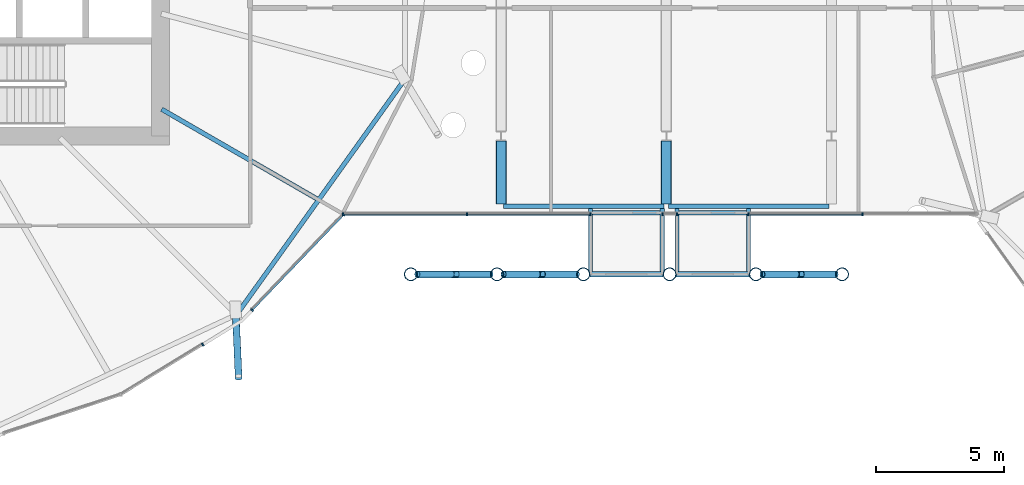
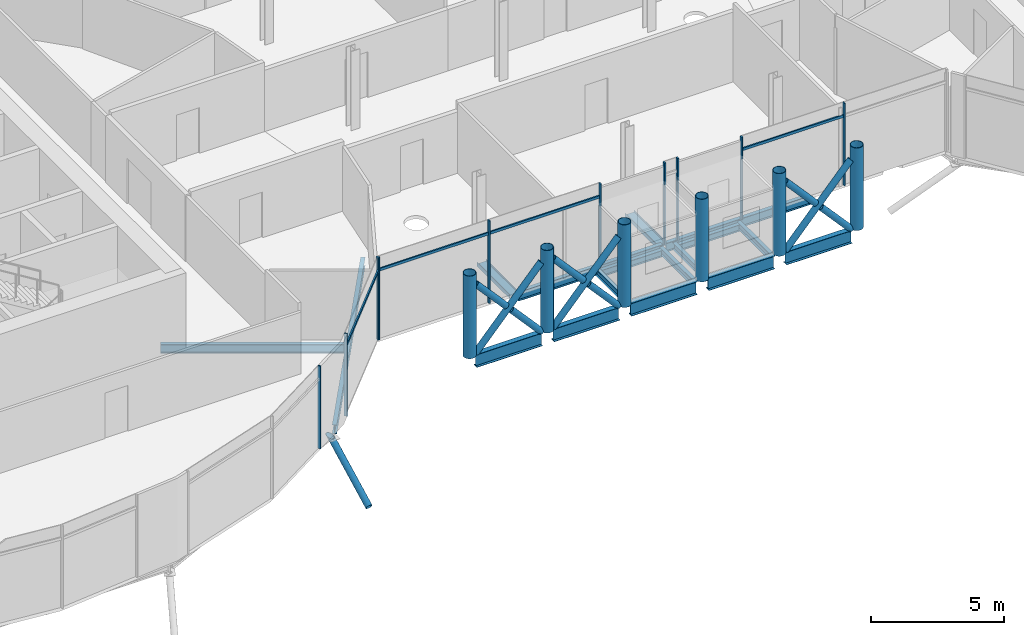
# One storey, part 6 of 39: 30 members, 17 beams, 2 elements without a shape of their own.
"""IFC4 building model written with IfcOpenShell, lengths in metres."""

import ifcopenshell
import ifcopenshell.guid

model = None  # the IFC model being written
_history = None  # IfcOwnerHistory: only IFC2X3 demands one
_inside = {}  # id of a spatial element -> (the spatial element, [elements in it])
_under = {}  # id of a project, library or spatial element -> (it, [spatial elements below it])
_declared = {}  # id of a project -> (the project, [libraries it declares])
_typed = {}  # id of a type object -> (the type object, [elements of that type])
_made_of = {}  # id of a material, layer set ... -> (it, [elements and type objects made of it])


def new_model(schema):
    """Start an empty IFC model of exactly this schema.

    Asked for "IFC4X3", IfcOpenShell would pick the latest addendum, in which some entities
    have other attributes; the version numbers below select the first issue.
    IFC2X3 requires an IfcOwnerHistory on every rooted entity: one is made here for all.
    """
    global model, _history
    if schema == "IFC4X3":
        model = ifcopenshell.file(schema_version=(4, 3, 0, 0))
    else:
        model = ifcopenshell.file(schema=schema)
    _inside.clear()
    _under.clear()
    _declared.clear()
    _typed.clear()
    _made_of.clear()
    _history = None
    if model.schema == "IFC2X3":
        org = make("IfcOrganization", Name="unknown")
        user = make(
            "IfcPersonAndOrganization",
            ThePerson=make("IfcPerson", FamilyName="unknown"),
            TheOrganization=org,
        )
        app = make(
            "IfcApplication",
            ApplicationDeveloper=org,
            Version="unknown",
            ApplicationFullName="unknown",
            ApplicationIdentifier="unknown",
        )
        _history = make(
            "IfcOwnerHistory",
            OwningUser=user,
            OwningApplication=app,
            ChangeAction="ADDED",
            CreationDate=0,
        )
    return model


def make(cls, **values):
    """One entity of the class cls with the attributes given. An attribute that is None is left unset."""
    return model.create_entity(
        cls, **{name: value for name, value in values.items() if value is not None}
    )


def rooted(cls, **values):
    """An entity with a GlobalId (a new one), such as an element, a storey or a relation."""
    return make(cls, GlobalId=ifcopenshell.guid.new(), OwnerHistory=_history, **values)


def si_unit(unit_type, name, prefix=None):
    """IfcSIUnit, for example si_unit("LENGTHUNIT", "METRE", prefix="MILLI")."""
    return make("IfcSIUnit", UnitType=unit_type, Prefix=prefix, Name=name)


def assignment(units):
    """IfcUnitAssignment: the units of a project."""
    return None if units is None else make("IfcUnitAssignment", Units=units)


def point(xyz):
    """IfcCartesianPoint."""
    return None if xyz is None else make("IfcCartesianPoint", Coordinates=xyz)


def direction(xyz):
    """IfcDirection."""
    return None if xyz is None else make("IfcDirection", DirectionRatios=xyz)


def frame(location, z_axis=None, x_axis=None):
    """IfcAxis2Placement3D, a coordinate frame: its origin and axes. An axis left out is left unset."""
    return make(
        "IfcAxis2Placement3D",
        Location=point(location),
        Axis=direction(z_axis),
        RefDirection=direction(x_axis),
    )


def frame_2d(location, x_axis=None):
    """IfcAxis2Placement2D, a coordinate frame in the plane: its origin and x axis."""
    return make(
        "IfcAxis2Placement2D", Location=point(location), RefDirection=direction(x_axis)
    )


def origin():
    """The frame at (0, 0, 0) with its axes left unset."""
    return frame((0.0, 0.0, 0.0))


def origin_2d():
    """The frame at (0, 0) in the plane with its x axis left unset."""
    return frame_2d((0.0, 0.0))


def place(relative_to, where):
    """IfcLocalPlacement: puts the frame where relative to a parent placement (None: the world)."""
    return make(
        "IfcLocalPlacement", PlacementRelTo=relative_to, RelativePlacement=where
    )


def context(
    kind, dimensions, precision=None, world=None, true_north=None, identifier=None
):
    """IfcGeometricRepresentationContext, for example the 3D "Model" context."""
    return make(
        "IfcGeometricRepresentationContext",
        ContextIdentifier=identifier,
        ContextType=kind,
        CoordinateSpaceDimension=dimensions,
        Precision=precision,
        WorldCoordinateSystem=world,
        TrueNorth=true_north,
    )


def subcontext(parent, identifier, kind, view, scale=None):
    """IfcGeometricRepresentationSubContext, for example "Body" below "Model"."""
    return make(
        "IfcGeometricRepresentationSubContext",
        ContextIdentifier=identifier,
        ContextType=kind,
        ParentContext=parent,
        TargetScale=scale,
        TargetView=view,
    )


def project(units=None, contexts=None):
    """IfcProject with its units and contexts."""
    return rooted(
        "IfcProject",
        Name="project",
        RepresentationContexts=contexts,
        UnitsInContext=assignment(units),
    )


def spatial(cls, under=None, at=None, **own):
    """A site, building, storey or space (cls), placed at a placement, below another one or the project."""
    s = rooted(cls, ObjectPlacement=at, **own)
    if under is not None:
        _under.setdefault(under.id(), (under, []))[1].append(s)
    return s


def profile(cls, at=None, kind="AREA", **sizes):
    """A parametric profile (cls). Its sizes go by their IFC names, for example OverallWidth=200.0."""
    return make(cls, ProfileType=kind, Position=at, **sizes)


def rectangle(**sizes):
    """IfcRectangleProfileDef."""
    return profile("IfcRectangleProfileDef", **sizes)


def hollow_circle(**sizes):
    """IfcCircleHollowProfileDef."""
    return profile("IfcCircleHollowProfileDef", **sizes)


def i_section(**sizes):
    """IfcIShapeProfileDef."""
    return profile("IfcIShapeProfileDef", **sizes)


def extrude(swept, where, along, depth):
    """IfcExtrudedAreaSolid: the profile swept, set in the frame where, extruded along a direction by depth."""
    return make(
        "IfcExtrudedAreaSolid",
        SweptArea=swept,
        Position=where,
        ExtrudedDirection=direction(along),
        Depth=depth,
    )


def clip(a, b, op="DIFFERENCE"):
    """IfcBooleanClippingResult: the solid a cut by the half space b."""
    return make(
        "IfcBooleanClippingResult", Operator=op, FirstOperand=a, SecondOperand=b
    )


def halfspace(plane, agree):
    """IfcHalfSpaceSolid: all space on one side of the plane z = 0 of the frame plane."""
    return make(
        "IfcHalfSpaceSolid",
        BaseSurface=make("IfcPlane", Position=plane),
        AgreementFlag=agree,
    )


def shape(context_of_items, identifier, shape_type, items):
    """IfcShapeRepresentation: the items that make up one representation, for example the "Body"."""
    return make(
        "IfcShapeRepresentation",
        ContextOfItems=context_of_items,
        RepresentationIdentifier=identifier,
        RepresentationType=shape_type,
        Items=items,
    )


def material(Name=None, Category=None):
    """IfcMaterial."""
    return make("IfcMaterial", Name=Name, Category=Category)


def material_profile(
    of_material, cross_section, Name=None, Category=None, Priority=None
):
    """IfcMaterialProfile: a cross section and its material."""
    return make(
        "IfcMaterialProfile",
        Name=Name,
        Material=of_material,
        Profile=cross_section,
        Priority=Priority,
        Category=Category,
    )


def profile_set(profiles, Name=None, composite=None):
    """IfcMaterialProfileSet."""
    return make(
        "IfcMaterialProfileSet",
        Name=Name,
        MaterialProfiles=profiles,
        CompositeProfile=composite,
    )


def made_of(thing, what):
    """Note that an element or type object is made of a material, layer set ...; save() writes the relation."""
    if what is not None:
        _made_of.setdefault(what.id(), (what, []))[1].append(thing)
    return thing


def type_object(cls, material=None, **own):
    """A type object (cls), such as IfcWallType, which elements share."""
    return made_of(rooted(cls, **own), material)


def element(
    cls,
    number,
    at=None,
    inside=None,
    cuts=None,
    type_object=None,
    material=None,
    context=None,
    identifier="Body",
    shape_type=None,
    held_by="IfcProductDefinitionShape",
    body=None,
    shapes=None,
    **own,
):
    """One element of the class cls, such as IfcWall. Its Tag is "e" and its number.

    at: its placement. inside: the storey or other place that contains it. cuts: it is an
    opening in that element (IfcRelVoidsElement). A single representation is given by context,
    identifier, shape_type and body (its items); several are given by shapes. held_by: the class
    of the entity that holds the representations. save() writes the other relations.
    """
    e = rooted(cls, Tag="e%d" % number, ObjectPlacement=at, **own)
    if body is not None:
        shapes = [shape(context, identifier, shape_type, body)]
    if shapes is not None:
        e.Representation = make(held_by, Representations=shapes)
    if inside is not None:
        _inside.setdefault(inside.id(), (inside, []))[1].append(e)
    if cuts is not None:
        rooted(
            "IfcRelVoidsElement", RelatingBuildingElement=cuts, RelatedOpeningElement=e
        )
    if type_object is not None:
        _typed.setdefault(type_object.id(), (type_object, []))[1].append(e)
    return made_of(e, material)


def aggregate(whole, parts):
    """IfcRelAggregates: a whole, such as a stair, and the parts it consists of."""
    return rooted("IfcRelAggregates", RelatingObject=whole, RelatedObjects=parts)


def save(model, path):
    """Write the relations noted so far, then the file.

    IfcRelAggregates (storeys below a building ...), IfcRelContainedInSpatialStructure (elements
    in a storey), IfcRelDefinesByType, IfcRelAssociatesMaterial and IfcRelDeclares: one each for
    every whole, place, type object, material and project.
    """
    for whole, parts in _under.values():
        aggregate(whole, parts)
    for where, things in _inside.values():
        rooted(
            "IfcRelContainedInSpatialStructure",
            RelatedElements=things,
            RelatingStructure=where,
        )
    for kind, things in _typed.values():
        rooted("IfcRelDefinesByType", RelatedObjects=things, RelatingType=kind)
    for what, things in _made_of.values():
        rooted("IfcRelAssociatesMaterial", RelatedObjects=things, RelatingMaterial=what)
    for by, libraries in _declared.values():
        rooted("IfcRelDeclares", RelatingContext=by, RelatedDefinitions=libraries)
    model.write(path)


model = new_model("IFC4")

# Units and contexts
model_context = context("Model", 3, precision=1e-05, world=origin(), true_north=direction((0.0, 1.0)))
body_context = subcontext(model_context, "Body", "Model", "MODEL_VIEW")
ifc_project = project(units=[si_unit("LENGTHUNIT", "METRE"), si_unit("AREAUNIT", "SQUARE_METRE"), si_unit("VOLUMEUNIT", "CUBIC_METRE"), si_unit("PLANEANGLEUNIT", "RADIAN"), si_unit("MASSUNIT", "GRAM", prefix="KILO")], contexts=[model_context])

# Site, building, storey
site_placement = place(None, origin())
site = spatial("IfcSite", under=ifc_project, at=site_placement, CompositionType="ELEMENT")
building_placement = place(site_placement, origin())
building = spatial("IfcBuilding", under=site, at=building_placement, Name="Rimbun Link Towers", CompositionType="ELEMENT")
storey_placement = place(building_placement, frame((0.0, 0.0, 143.0)))
storey = spatial("IfcBuildingStorey", under=building, at=storey_placement, Name="L34", CompositionType="ELEMENT", Elevation=143.0)

# Curtain wall, members
ifc_material_1 = material(Name="Aluminium 6063-T6 and low-iron glass", Category="aluminium")
curtain_wall_type = type_object("IfcCurtainWallType", Name="CW4 link block wall", PredefinedType="NOTDEFINED", material=ifc_material_1)
curtain_wall_1_placement = place(storey_placement, origin())
curtain_wall_1 = element("IfcCurtainWall", 1, at=curtain_wall_1_placement, inside=storey, type_object=curtain_wall_type, Name="CW4 L34 T1", PredefinedType="NOTDEFINED")
ifc_material_2 = material(Name="Aluminium 6063-T6", Category="aluminium")
ifc_material_profile_1 = material_profile(ifc_material_2, rectangle(XDim=0.1201171875, YDim=0.06005859375, at=origin_2d()), Name="MULLION 60X120")
ifc_profile_set_1 = profile_set([ifc_material_profile_1], Name="Aluminium 6063-T6")
member_type_1 = type_object("IfcMemberType", Name="CW4 mullion 60X120", PredefinedType="MULLION", material=ifc_profile_set_1)
member_1_placement = place(storey_placement, frame((-18.098388671875, -16.147216796875, 0.0), z_axis=(0.0, 0.0, 1.0), x_axis=(0.523225378089, -0.852194346217, 0.0)))
member_1 = element("IfcMember", 2, at=member_1_placement, type_object=member_type_1, Name="CW4 mullion", PredefinedType="MULLION", context=body_context, shape_type="SweptSolid", body=[
    extrude(rectangle(XDim=0.1201171875, YDim=0.06005859375, at=origin_2d()), origin(), (0.0, 0.0, 1.0), 3.800048828125),
])
member_2_placement = place(storey_placement, frame((-12.599853515625, -11.07275390625, 0.0), z_axis=(0.0, 0.0, 1.0), x_axis=(0.721858090698, -0.692041109252, 0.0)))
member_2 = element("IfcMember", 3, at=member_2_placement, type_object=member_type_1, Name="CW4 mullion", PredefinedType="MULLION", context=body_context, shape_type="SweptSolid", body=[
    extrude(rectangle(XDim=0.1201171875, YDim=0.06005859375, at=origin_2d()), origin(), (0.0, 0.0, 1.0), 3.800048828125),
])
member_3_placement = place(storey_placement, frame((-16.171875, -14.798583984375, 0.0), z_axis=(0.0, 0.0, 1.0), x_axis=(0.721858090698, -0.692041109252, 0.0)))
member_3 = element("IfcMember", 4, at=member_3_placement, type_object=member_type_1, Name="CW4 mullion", PredefinedType="MULLION", context=body_context, shape_type="SweptSolid", body=[
    extrude(rectangle(XDim=0.1201171875, YDim=0.06005859375, at=origin_2d()), origin(), (0.0, 0.0, 1.0), 3.800048828125),
])

curtain_wall_2_placement = place(storey_placement, origin())
curtain_wall_2 = element("IfcCurtainWall", 5, at=curtain_wall_2_placement, inside=storey, type_object=curtain_wall_type, Name="CW4 L34 LB", PredefinedType="NOTDEFINED")
member_4_placement = place(storey_placement, frame((7.667236328125, -11.06005859375, 0.0), z_axis=(0.0, 0.0, 1.0), x_axis=(0.0, -1.0, 0.0)))
member_4 = element("IfcMember", 6, at=member_4_placement, type_object=member_type_1, Name="CW4 mullion", PredefinedType="MULLION", context=body_context, shape_type="SweptSolid", body=[
    extrude(rectangle(XDim=0.1201171875, YDim=0.06005859375, at=origin_2d()), origin(), (0.0, 0.0, 1.0), 3.800048828125),
])
member_5_placement = place(storey_placement, frame((3.21337890625, -11.06005859375, 0.0), z_axis=(0.0, 0.0, 1.0), x_axis=(0.0, -1.0, 0.0)))
member_5 = element("IfcMember", 7, at=member_5_placement, type_object=member_type_1, Name="CW4 mullion", PredefinedType="MULLION", context=body_context, shape_type="SweptSolid", body=[
    extrude(rectangle(XDim=0.1201171875, YDim=0.06005859375, at=origin_2d()), origin(), (0.0, 0.0, 1.0), 3.800048828125),
])
member_6_placement = place(storey_placement, frame((0.413330078125, -11.06005859375, 0.0), z_axis=(0.0, 0.0, 1.0), x_axis=(0.0, -1.0, 0.0)))
member_6 = element("IfcMember", 8, at=member_6_placement, type_object=member_type_1, Name="CW4 mullion", PredefinedType="MULLION", context=body_context, shape_type="SweptSolid", body=[
    extrude(rectangle(XDim=0.1201171875, YDim=0.06005859375, at=origin_2d()), origin(), (0.0, 0.0, 1.0), 3.800048828125),
])
member_7_placement = place(storey_placement, frame((-0.15576171875, -11.06005859375, 0.0), z_axis=(0.0, 0.0, 1.0), x_axis=(0.0, -1.0, 0.0)))
member_7 = element("IfcMember", 9, at=member_7_placement, type_object=member_type_1, Name="CW4 mullion", PredefinedType="MULLION", context=body_context, shape_type="SweptSolid", body=[
    extrude(rectangle(XDim=0.1201171875, YDim=0.06005859375, at=origin_2d()), origin(), (0.0, 0.0, 1.0), 3.800048828125),
])
member_8_placement = place(storey_placement, frame((-2.95556640625, -11.06005859375, 0.0), z_axis=(0.0, 0.0, 1.0), x_axis=(0.0, -1.0, 0.0)))
member_8 = element("IfcMember", 10, at=member_8_placement, type_object=member_type_1, Name="CW4 mullion", PredefinedType="MULLION", context=body_context, shape_type="SweptSolid", body=[
    extrude(rectangle(XDim=0.1201171875, YDim=0.06005859375, at=origin_2d()), origin(), (0.0, 0.0, 1.0), 3.800048828125),
])
member_9_placement = place(storey_placement, frame((-7.791259765625, -11.06005859375, 0.0), z_axis=(0.0, 0.0, 1.0), x_axis=(0.0, -1.0, 0.0)))
member_9 = element("IfcMember", 11, at=member_9_placement, type_object=member_type_1, Name="CW4 mullion", PredefinedType="MULLION", context=body_context, shape_type="SweptSolid", body=[
    extrude(rectangle(XDim=0.1201171875, YDim=0.06005859375, at=origin_2d()), origin(), (0.0, 0.0, 1.0), 3.800048828125),
])
member_10_placement = place(storey_placement, frame((-12.626953125, -11.06005859375, 0.0), z_axis=(0.0, 0.0, 1.0), x_axis=(0.0, -1.0, 0.0)))
member_10 = element("IfcMember", 12, at=member_10_placement, type_object=member_type_1, Name="CW4 mullion", PredefinedType="MULLION", context=body_context, shape_type="SweptSolid", body=[
    extrude(rectangle(XDim=0.1201171875, YDim=0.06005859375, at=origin_2d()), origin(), (0.0, 0.0, 1.0), 3.800048828125),
])

# Member
ifc_material_3 = material(Name="Aluminium 6063-T6", Category="aluminium")
ifc_material_profile_2 = material_profile(ifc_material_3, rectangle(XDim=0.06005859375, YDim=0.1201171875, at=origin_2d()), Name="TRANSOM 60X120")
ifc_profile_set_2 = profile_set([ifc_material_profile_2], Name="Aluminium 6063-T6")
member_type_2 = type_object("IfcMemberType", Name="CW4 transom 60X120", PredefinedType="USERDEFINED", material=ifc_profile_set_2)
member_11_placement = place(storey_placement, frame((-12.6220703125, -11.093017578125, 3.199951171875), z_axis=(-0.692042551771, -0.72185670776, 0.0), x_axis=(0.72185670776, -0.692042551771, 0.0)))
member_11 = element("IfcMember", 13, at=member_11_placement, type_object=member_type_2, Name="CW4 transom", ObjectType="TRANSOM", PredefinedType="USERDEFINED", context=body_context, shape_type="SweptSolid", body=[
    extrude(rectangle(XDim=0.06005859375, YDim=0.1201171875, at=origin_2d()), origin(), (0.0, 0.0, 1.0), 5.1015625),
])

aggregate(curtain_wall_1, [member_1, member_2, member_3, member_11])

member_12_placement = place(storey_placement, frame((7.63720703125, -11.05810546875, 3.199951171875), z_axis=(-1.0, 0.0, 0.0), x_axis=(0.0, -1.0, 0.0)))
member_12 = element("IfcMember", 14, at=member_12_placement, type_object=member_type_2, Name="CW4 transom", ObjectType="TRANSOM", PredefinedType="USERDEFINED", context=body_context, shape_type="SweptSolid", body=[
    extrude(rectangle(XDim=0.06005859375, YDim=0.1201171875, at=origin_2d()), origin(), (0.0, 0.0, 1.0), 4.393798828125),
])

member_13_placement = place(storey_placement, frame((-2.985595703125, -11.05810546875, 3.199951171875), z_axis=(-1.0, 0.0, 0.0), x_axis=(0.0, -1.0, 0.0)))
member_13 = element("IfcMember", 15, at=member_13_placement, type_object=member_type_2, Name="CW4 transom", ObjectType="TRANSOM", PredefinedType="USERDEFINED", context=body_context, shape_type="SweptSolid", body=[
    extrude(rectangle(XDim=0.06005859375, YDim=0.1201171875, at=origin_2d()), origin(), (0.0, 0.0, 1.0), 4.775634765625),
])

member_14_placement = place(storey_placement, frame((-7.8212890625, -11.05810546875, 3.199951171875), z_axis=(-1.0, 0.0, 0.0), x_axis=(0.0, -1.0, 0.0)))
member_14 = element("IfcMember", 16, at=member_14_placement, type_object=member_type_2, Name="CW4 transom", ObjectType="TRANSOM", PredefinedType="USERDEFINED", context=body_context, shape_type="SweptSolid", body=[
    extrude(rectangle(XDim=0.06005859375, YDim=0.1201171875, at=origin_2d()), origin(), (0.0, 0.0, 1.0), 4.775634765625),
])

aggregate(curtain_wall_2, [member_4, member_5, member_6, member_7, member_8, member_9, member_10, member_12, member_13, member_14])

# Beams
ifc_material_4 = material(Name="Steel S355J2", Category="steel")
ifc_material_profile_3 = material_profile(ifc_material_4, i_section(OverallWidth=0.1650390625, OverallDepth=0.303466796875, WebThickness=0.006103515625, FlangeThickness=0.01025390625, at=origin_2d()), Name="UB 305x165x40")
ifc_profile_set_3 = profile_set([ifc_material_profile_3], Name="Steel S355J2")
beam_type_1 = type_object("IfcBeamType", Name="Capsule bracket beam UB 305x165x40", PredefinedType="BEAM", material=ifc_profile_set_3)
for number, where, z_axis, x_axis, name in (
    (17, (-2.95556640625, -10.8349609375, -0.37158203125), (0.0, -1.0, 0.0), (1.0, 0.0, 0.0), "Capsule F34.11 bracket beam 1"),
    (18, (-0.15576171875, -10.8349609375, -0.37158203125), (0.0, -1.0, 0.0), (1.0, 0.0, 0.0), "Capsule F34.11 bracket beam 2"),
):
    element("IfcBeam", number, at=place(storey_placement, frame(where, z_axis=z_axis, x_axis=x_axis)), inside=storey, type_object=beam_type_1, Name=name, PredefinedType="BEAM", context=body_context, shape_type="SweptSolid", body=[
        extrude(i_section(OverallWidth=0.1650390625, OverallDepth=0.303466796875, WebThickness=0.006103515625, FlangeThickness=0.01025390625, at=origin_2d()), origin(), (0.0, 0.0, 1.0), 2.451171875),
    ])
beam_1_placement = place(storey_placement, frame((-2.873046875, -11.0, -0.37158203125), z_axis=(1.0, 0.0, 0.0), x_axis=(0.0, 1.0, 0.0)))
element("IfcBeam", 19, at=beam_1_placement, inside=storey, type_object=beam_type_1, Name="Capsule F34.11 bracket beam 3", PredefinedType="BEAM", context=body_context, shape_type="SweptSolid", body=[
    extrude(i_section(OverallWidth=0.1650390625, OverallDepth=0.303466796875, WebThickness=0.006103515625, FlangeThickness=0.01025390625, at=origin_2d()), origin(), (0.0, 0.0, 1.0), 2.635009765625),
])
for number, where, z_axis, x_axis, name in (
    (20, (0.413330078125, -10.8349609375, -0.37158203125), (0.0, -1.0, 0.0), (1.0, 0.0, 0.0), "Capsule F34.12 bracket beam 1"),
    (21, (3.21337890625, -10.8349609375, -0.37158203125), (0.0, -1.0, 0.0), (1.0, 0.0, 0.0), "Capsule F34.12 bracket beam 2"),
):
    element("IfcBeam", number, at=place(storey_placement, frame(where, z_axis=z_axis, x_axis=x_axis)), inside=storey, type_object=beam_type_1, Name=name, PredefinedType="BEAM", context=body_context, shape_type="SweptSolid", body=[
        extrude(i_section(OverallWidth=0.1650390625, OverallDepth=0.303466796875, WebThickness=0.006103515625, FlangeThickness=0.01025390625, at=origin_2d()), origin(), (0.0, 0.0, 1.0), 2.451171875),
    ])
beam_2_placement = place(storey_placement, frame((0.495849609375, -11.0, -0.37158203125), z_axis=(1.0, 0.0, 0.0), x_axis=(0.0, 1.0, 0.0)))
element("IfcBeam", 22, at=beam_2_placement, inside=storey, type_object=beam_type_1, Name="Capsule F34.12 bracket beam 3", PredefinedType="BEAM", context=body_context, shape_type="SweptSolid", body=[
    extrude(i_section(OverallWidth=0.1650390625, OverallDepth=0.303466796875, WebThickness=0.006103515625, FlangeThickness=0.01025390625, at=origin_2d()), origin(), (0.0, 0.0, 1.0), 2.635009765625),
])

# Member
ifc_material_5 = material(Name="Steel S355J2H", Category="steel")
ifc_material_profile_4 = material_profile(ifc_material_5, hollow_circle(Radius=0.136474609375, WallThickness=0.012451171875, at=origin_2d()), Name="CHS 273x12.5")
ifc_profile_set_4 = profile_set([ifc_material_profile_4], Name="Steel S355J2H")
member_type_3 = type_object("IfcMemberType", Name="Floor edge link CHS 273x12.5", PredefinedType="BRACE", material=ifc_profile_set_4)
member_15_placement = place(storey_placement, frame((-16.81298828125, -14.93701171875, -0.8291015625), z_axis=(0.038053761592, -0.849675566597, -0.525930929644), x_axis=(0.998998603204, 0.044741376793, 0.0)))
element("IfcMember", 23, at=member_15_placement, inside=storey, type_object=member_type_3, Name="Floor edge link T1 L34 21", PredefinedType="BRACE", context=body_context, shape_type="Clipping", body=[
    clip(extrude(hollow_circle(Radius=0.136474609375, WallThickness=0.012451171875, at=origin_2d()), frame((0.0, 0.0, -0.46044921875)), (0.0, 0.0, 1.0), 3.430908203125), halfspace(frame((0.0, 0.0, -0.216796875), z_axis=(0.0, 0.850527281893, -0.525930929644)), False)),
])

# Beams
ifc_material_6 = material(Name="Steel S355J2", Category="steel")
ifc_material_profile_5 = material_profile(ifc_material_6, i_section(OverallWidth=0.177978515625, OverallDepth=0.406494140625, WebThickness=0.0078125, FlangeThickness=0.0126953125, at=origin_2d()), Name="UKB 406x178x60")
ifc_profile_set_5 = profile_set([ifc_material_profile_5], Name="Steel S355J2")
beam_type_2 = type_object("IfcBeamType", Name="Link floor beam UKB 406x178x60", PredefinedType="BEAM", material=ifc_profile_set_5)
for number, where, z_axis, x_axis, name in (
    (24, (-6.449951171875, -10.660888671875, -0.36328125), (0.0, 1.0, 0.0), (0.0, 0.0, 1.0), "Link floor beam L34 00"),
    (25, (0.0, -10.660888671875, -0.36328125), (0.0, 1.0, 0.0), (0.0, 0.0, 1.0), "Link floor beam L34 04"),
):
    element("IfcBeam", number, at=place(storey_placement, frame(where, z_axis=z_axis, x_axis=x_axis)), inside=storey, type_object=beam_type_2, Name=name, PredefinedType="BEAM", context=body_context, shape_type="SweptSolid", body=[
        extrude(i_section(OverallWidth=0.177978515625, OverallDepth=0.406494140625, WebThickness=0.0078125, FlangeThickness=0.0126953125, at=origin_2d()), origin(), (0.0, 0.0, 1.0), 2.473388671875),
    ])
for number, where, z_axis, x_axis, name in (
    (26, (-6.361083984375, -10.75, -0.36328125), (1.0, 0.0, 0.0), (0.0, 1.0, 0.0), "Link edge beam L34 12"),
    (27, (0.089111328125, -10.75, -0.36328125), (1.0, 0.0, 0.0), (0.0, 1.0, 0.0), "Link edge beam L34 13"),
):
    element("IfcBeam", number, at=place(storey_placement, frame(where, z_axis=z_axis, x_axis=x_axis)), inside=storey, type_object=beam_type_2, Name=name, PredefinedType="BEAM", context=body_context, shape_type="SweptSolid", body=[
        extrude(i_section(OverallWidth=0.177978515625, OverallDepth=0.406494140625, WebThickness=0.0078125, FlangeThickness=0.0126953125, at=origin_2d()), origin(), (0.0, 0.0, 1.0), 6.27197265625),
    ])

# Members
ifc_material_7 = material(Name="Steel S355J2H", Category="steel")
ifc_material_profile_6 = material_profile(ifc_material_7, hollow_circle(Radius=0.136474609375, WallThickness=0.012451171875, at=origin_2d()), Name="CHS 273x12.5")
ifc_profile_set_6 = profile_set([ifc_material_profile_6], Name="Steel S355J2H")
member_type_4 = type_object("IfcMemberType", Name="Link megaframe brace CHS 273x12.5", PredefinedType="BRACE", material=ifc_profile_set_6)
member_16_placement = place(storey_placement, frame((-9.72412109375, -13.39990234375, -0.219970703125), z_axis=(0.66684309408, 0.0, 0.745198153432), x_axis=(0.0, 1.0, 0.0)))
element("IfcMember", 28, at=member_16_placement, inside=storey, type_object=member_type_4, Name="Link megaframe brace S0-1 bay 3.1", PredefinedType="BRACE", context=body_context, shape_type="SweptSolid", body=[
    extrude(hollow_circle(Radius=0.136474609375, WallThickness=0.012451171875, at=origin_2d()), origin(), (0.0, 0.0, 1.0), 4.29052734375),
])
for number, where, z_axis, x_axis, name in (
    (29, (-6.863037109375, -13.39990234375, -0.219970703125), (-0.666827130153, 0.0, 0.745212438498), (0.0, -1.0, 0.0), "Link megaframe brace S0-1 bay 3.2a"),
    (30, (-8.39697265625, -13.39990234375, 1.494140625), (-0.666827130153, 0.0, 0.745212438498), (0.0, -1.0, 0.0), "Link megaframe brace S0-1 bay 3.2b"),
):
    element("IfcMember", number, at=place(storey_placement, frame(where, z_axis=z_axis, x_axis=x_axis)), inside=storey, type_object=member_type_4, Name=name, PredefinedType="BRACE", context=body_context, shape_type="SweptSolid", body=[
        extrude(hollow_circle(Radius=0.136474609375, WallThickness=0.012451171875, at=origin_2d()), origin(), (0.0, 0.0, 1.0), 1.990234375),
    ])
member_17_placement = place(storey_placement, frame((-6.35498046875, -13.39990234375, -0.219970703125), z_axis=(0.666811493041, 0.0, 0.745226430522), x_axis=(0.0, 1.0, 0.0)))
element("IfcMember", 31, at=member_17_placement, inside=storey, type_object=member_type_4, Name="Link megaframe brace S1-2 bay 3.1", PredefinedType="BRACE", context=body_context, shape_type="SweptSolid", body=[
    extrude(hollow_circle(Radius=0.136474609375, WallThickness=0.012451171875, at=origin_2d()), origin(), (0.0, 0.0, 1.0), 4.290283203125),
])
member_18_placement = place(storey_placement, frame((-3.494140625, -13.39990234375, -0.219970703125), z_axis=(-0.666827130153, 0.0, 0.745212438498), x_axis=(0.0, -1.0, 0.0)))
element("IfcMember", 32, at=member_18_placement, inside=storey, type_object=member_type_4, Name="Link megaframe brace S1-2 bay 3.2a", PredefinedType="BRACE", context=body_context, shape_type="SweptSolid", body=[
    extrude(hollow_circle(Radius=0.136474609375, WallThickness=0.012451171875, at=origin_2d()), origin(), (0.0, 0.0, 1.0), 1.990234375),
])
member_19_placement = place(storey_placement, frame((-5.028076171875, -13.39990234375, 1.494140625), z_axis=(-0.666758998756, 0.0, 0.745273397874), x_axis=(0.0, -1.0, 0.0)))
element("IfcMember", 33, at=member_19_placement, inside=storey, type_object=member_type_4, Name="Link megaframe brace S1-2 bay 3.2b", PredefinedType="BRACE", context=body_context, shape_type="SweptSolid", body=[
    extrude(hollow_circle(Radius=0.136474609375, WallThickness=0.012451171875, at=origin_2d()), origin(), (0.0, 0.0, 1.0), 1.989990234375),
])
member_20_placement = place(storey_placement, frame((3.751708984375, -13.39990234375, -0.219970703125), z_axis=(0.66684309408, 0.0, 0.745198153432), x_axis=(0.0, 1.0, 0.0)))
element("IfcMember", 34, at=member_20_placement, inside=storey, type_object=member_type_4, Name="Link megaframe brace S4-5 bay 3.1", PredefinedType="BRACE", context=body_context, shape_type="SweptSolid", body=[
    extrude(hollow_circle(Radius=0.136474609375, WallThickness=0.012451171875, at=origin_2d()), origin(), (0.0, 0.0, 1.0), 4.29052734375),
])
for number, where, z_axis, x_axis, name in (
    (35, (6.61279296875, -13.39990234375, -0.219970703125), (-0.666827130153, 0.0, 0.745212438498), (0.0, -1.0, 0.0), "Link megaframe brace S4-5 bay 3.2a"),
    (36, (5.078857421875, -13.39990234375, 1.494140625), (-0.666827130153, 0.0, 0.745212438498), (0.0, -1.0, 0.0), "Link megaframe brace S4-5 bay 3.2b"),
):
    element("IfcMember", number, at=place(storey_placement, frame(where, z_axis=z_axis, x_axis=x_axis)), inside=storey, type_object=member_type_4, Name=name, PredefinedType="BRACE", context=body_context, shape_type="SweptSolid", body=[
        extrude(hollow_circle(Radius=0.136474609375, WallThickness=0.012451171875, at=origin_2d()), origin(), (0.0, 0.0, 1.0), 1.990234375),
    ])
ifc_material_8 = material(Name="Steel S355J2H", Category="steel")
ifc_material_profile_7 = material_profile(ifc_material_8, hollow_circle(Radius=0.25390625, WallThickness=0.02001953125, at=origin_2d()), Name="CHS 508x20")
ifc_profile_set_7 = profile_set([ifc_material_profile_7], Name="Steel S355J2H")
member_type_5 = type_object("IfcMemberType", Name="Link megaframe post CHS 508x20", PredefinedType="POST", material=ifc_profile_set_7)
for number, where, z_axis, x_axis, name in (
    (37, (-9.97802734375, -13.39990234375, -0.219970703125), (0.0, 0.0, 1.0), (1.0, 0.0, 0.0), "Link megaframe post S0 bay 3"),
    (38, (-6.609130859375, -13.39990234375, -0.219970703125), (0.0, 0.0, 1.0), (1.0, 0.0, 0.0), "Link megaframe post S1 bay 3"),
    (39, (-3.239990234375, -13.39990234375, -0.219970703125), (0.0, 0.0, 1.0), (1.0, 0.0, 0.0), "Link megaframe post S2 bay 3"),
    (40, (0.12890625, -13.39990234375, -0.219970703125), (0.0, 0.0, 1.0), (1.0, 0.0, 0.0), "Link megaframe post S3 bay 3"),
    (41, (3.497802734375, -13.39990234375, -0.219970703125), (0.0, 0.0, 1.0), (1.0, 0.0, 0.0), "Link megaframe post S4 bay 3"),
    (42, (6.86669921875, -13.39990234375, -0.219970703125), (0.0, 0.0, 1.0), (1.0, 0.0, 0.0), "Link megaframe post S5 bay 3"),
):
    element("IfcMember", number, at=place(storey_placement, frame(where, z_axis=z_axis, x_axis=x_axis)), inside=storey, type_object=member_type_5, Name=name, PredefinedType="POST", context=body_context, shape_type="SweptSolid", body=[
        extrude(hollow_circle(Radius=0.25390625, WallThickness=0.02001953125, at=origin_2d()), origin(), (0.0, 0.0, 1.0), 3.800048828125),
    ])

# Beams
ifc_material_9 = material(Name="Steel S355J2", Category="steel")
ifc_material_profile_8 = material_profile(ifc_material_9, i_section(OverallWidth=0.2275390625, OverallDepth=0.6025390625, WebThickness=0.010498046875, FlangeThickness=0.014892578125, at=origin_2d()), Name="UB 610x229x101")
ifc_profile_set_8 = profile_set([ifc_material_profile_8], Name="Steel S355J2")
beam_type_3 = type_object("IfcBeamType", Name="Link megaframe ring beam UB 610x229x101", PredefinedType="BEAM", material=ifc_profile_set_8)
beam_3_placement = place(storey_placement, frame((-9.72412109375, -13.39990234375, -0.521240234375), z_axis=(1.0, 0.0, 0.0), x_axis=(0.0, 1.0, 0.0)))
element("IfcBeam", 43, at=beam_3_placement, inside=storey, type_object=beam_type_3, Name="Link megaframe ring beam S0-1 L34", PredefinedType="BEAM", context=body_context, shape_type="SweptSolid", body=[
    extrude(i_section(OverallWidth=0.2275390625, OverallDepth=0.6025390625, WebThickness=0.010498046875, FlangeThickness=0.014892578125, at=origin_2d()), origin(), (0.0, 0.0, 1.0), 2.861083984375),
])
for number, where, z_axis, x_axis, name in (
    (44, (-6.35498046875, -13.39990234375, -0.521240234375), (1.0, 0.0, 0.0), (0.0, 1.0, 0.0), "Link megaframe ring beam S1-2 L34"),
    (45, (-2.986083984375, -13.39990234375, -0.521240234375), (1.0, 0.0, 0.0), (0.0, 1.0, 0.0), "Link megaframe ring beam S2-3 L34"),
):
    element("IfcBeam", number, at=place(storey_placement, frame(where, z_axis=z_axis, x_axis=x_axis)), inside=storey, type_object=beam_type_3, Name=name, PredefinedType="BEAM", context=body_context, shape_type="SweptSolid", body=[
        extrude(i_section(OverallWidth=0.2275390625, OverallDepth=0.6025390625, WebThickness=0.010498046875, FlangeThickness=0.014892578125, at=origin_2d()), origin(), (0.0, 0.0, 1.0), 2.86083984375),
    ])
for number, where, z_axis, x_axis, name in (
    (46, (0.3828125, -13.39990234375, -0.521240234375), (1.0, 0.0, 0.0), (0.0, 1.0, 0.0), "Link megaframe ring beam S3-4 L34"),
    (47, (3.751708984375, -13.39990234375, -0.521240234375), (1.0, 0.0, 0.0), (0.0, 1.0, 0.0), "Link megaframe ring beam S4-5 L34"),
):
    element("IfcBeam", number, at=place(storey_placement, frame(where, z_axis=z_axis, x_axis=x_axis)), inside=storey, type_object=beam_type_3, Name=name, PredefinedType="BEAM", context=body_context, shape_type="SweptSolid", body=[
        extrude(i_section(OverallWidth=0.2275390625, OverallDepth=0.6025390625, WebThickness=0.010498046875, FlangeThickness=0.014892578125, at=origin_2d()), origin(), (0.0, 0.0, 1.0), 2.861083984375),
    ])
ifc_material_10 = material(Name="Steel S355J2", Category="steel")
ifc_material_profile_9 = material_profile(ifc_material_10, i_section(OverallWidth=0.177978515625, OverallDepth=0.406494140625, WebThickness=0.0078125, FlangeThickness=0.0126953125, at=origin_2d()), Name="UB 406x178x60")
ifc_profile_set_9 = profile_set([ifc_material_profile_9], Name="Steel S355J2")
beam_type_4 = type_object("IfcBeamType", Name="UB 406x178x60", PredefinedType="BEAM", material=ifc_profile_set_9)
beam_4_placement = place(storey_placement, frame((-19.70458984375, -6.954345703125, -0.38330078125), z_axis=(0.866015068498, -0.500017900814, 0.0), x_axis=(0.500017900814, 0.866015068498, 0.0)))
element("IfcBeam", 48, at=beam_4_placement, inside=storey, type_object=beam_type_4, Name="Radial beam T1 L34 22", PredefinedType="BEAM", context=body_context, shape_type="SweptSolid", body=[
    extrude(i_section(OverallWidth=0.177978515625, OverallDepth=0.406494140625, WebThickness=0.0078125, FlangeThickness=0.0126953125, at=origin_2d()), origin(), (0.0, 0.0, 1.0), 6.986083984375),
])
beam_5_placement = place(storey_placement, frame((-16.71533203125, -14.88525390625, -0.38330078125), z_axis=(0.581402745389, 0.81361590917, 0.0), x_axis=(-0.81361590917, 0.581402745389, 0.0)))
element("IfcBeam", 49, at=beam_5_placement, inside=storey, type_object=beam_type_4, Name="Edge beam T1 L34 21-23", PredefinedType="BEAM", context=body_context, shape_type="SweptSolid", body=[
    extrude(i_section(OverallWidth=0.177978515625, OverallDepth=0.406494140625, WebThickness=0.0078125, FlangeThickness=0.0126953125, at=origin_2d()), origin(), (0.0, 0.0, 1.0), 11.086669921875),
])

save(model, "model.ifc")
